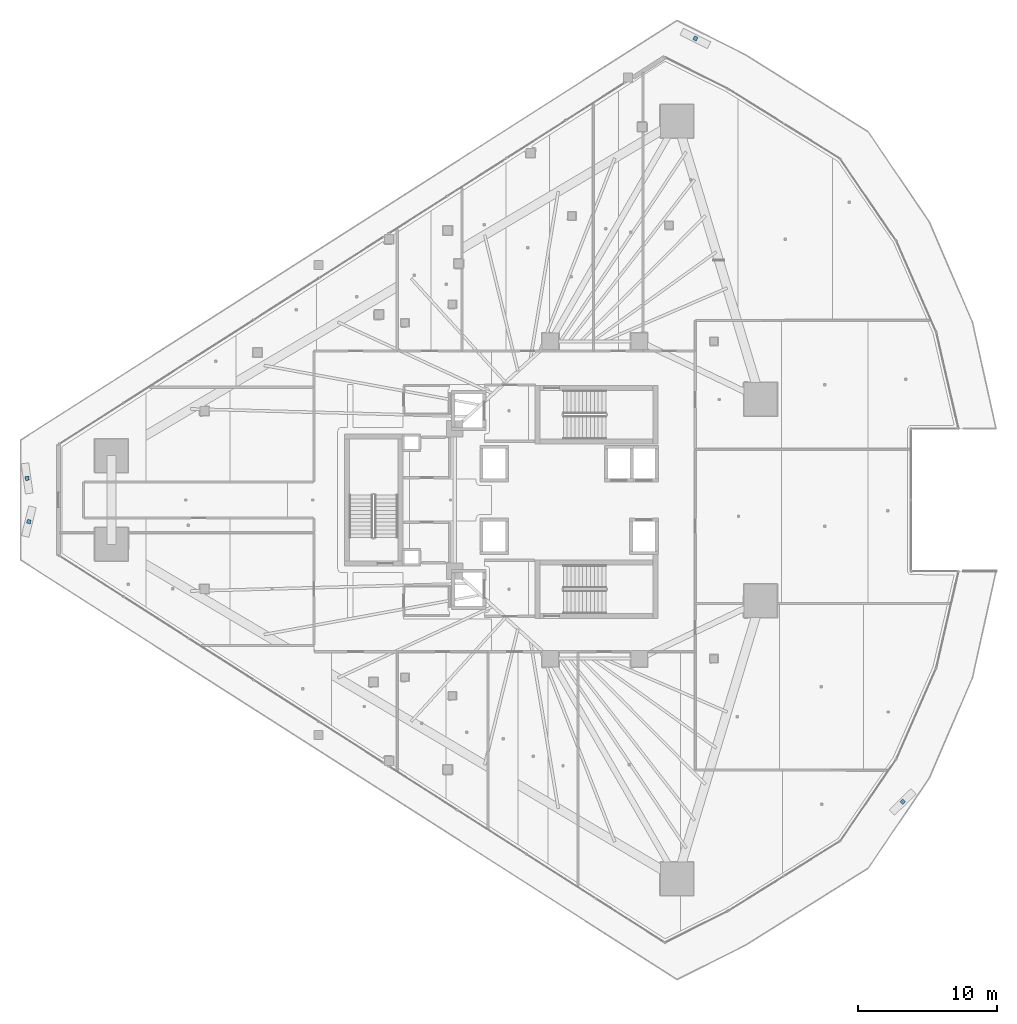
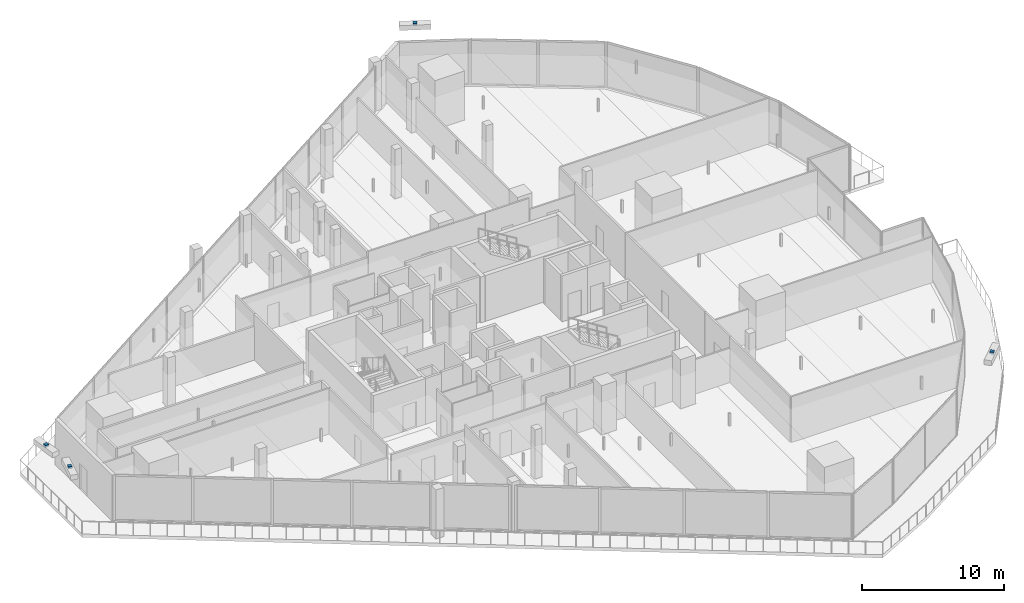
# One storey, part 37 of 46: 4 discrete accessories.
"""IFC4 building model written with IfcOpenShell, lengths in metres."""

from ifc_helpers import new_model, si_unit, direction, frame, origin, origin_2d, place, context, subcontext, project, spatial, rectangle, extrude, material, type_object, element, save


model = new_model("IFC4")

# Units and contexts
model_context = context("Model", 3, precision=1e-05, world=origin(), true_north=direction((0.0, 1.0)))
body_context = subcontext(model_context, "Body", "Model", "MODEL_VIEW")
ifc_project = project(units=[si_unit("LENGTHUNIT", "METRE"), si_unit("AREAUNIT", "SQUARE_METRE"), si_unit("VOLUMEUNIT", "CUBIC_METRE"), si_unit("PLANEANGLEUNIT", "RADIAN"), si_unit("MASSUNIT", "GRAM", prefix="KILO")], contexts=[model_context])

# Site, building, storey
site_placement = place(None, origin())
site = spatial("IfcSite", under=ifc_project, at=site_placement, CompositionType="ELEMENT")
building_placement = place(site_placement, origin())
building = spatial("IfcBuilding", under=site, at=building_placement, Name="Qorvath Tower", CompositionType="ELEMENT")
storey_placement = place(building_placement, frame((0.0, 0.0, 87.0)))
storey = spatial("IfcBuildingStorey", under=building, at=storey_placement, Name="L19", CompositionType="ELEMENT", Elevation=87.0)

# Discrete accessories
ifc_material = material(Name="Galvanised steel bracket", Category="steel")
discrete_accessory_type = type_object("IfcDiscreteAccessoryType", Name="DA-BRACKET", PredefinedType="BRACKET", material=ifc_material)
for number, where, z_axis, x_axis, name in (
    (1, (-61.36865234375, 1.557861328125, 3.77978515625), (0.0, 0.0, 1.0), (0.142000100276, -0.989866643302, 0.0), "Louvre Wave Support Bracket L19-01"),
    (2, (-61.245849609375, -1.557861328125, 3.77978515625), (0.0, 0.0, 1.0), (-0.23897750928, -0.971025102692, 0.0), "Louvre Wave Support Bracket L19-02"),
    (3, (1.830078125, -21.790771484375, 3.77978515625), (0.0, 0.0, 1.0), (0.714643618308, 0.699488741019, 0.0), "Louvre Wave Support Bracket L19-03"),
    (4, (-13.135498046875, 33.3125, 3.77978515625), (0.0, 0.0, 1.0), (-0.896743017163, 0.442551648025, 0.0), "Louvre Wave Support Bracket L19-04"),
):
    element("IfcDiscreteAccessory", number, at=place(storey_placement, frame(where, z_axis=z_axis, x_axis=x_axis)), inside=storey, type_object=discrete_accessory_type, Name=name, PredefinedType="NOTDEFINED", context=body_context, shape_type="SweptSolid", body=[
        extrude(rectangle(XDim=0.280029296875, YDim=0.280029296875, at=origin_2d()), origin(), (0.0, 0.0, 1.0), 0.199951171875),
    ])

save(model, "model.ifc")
